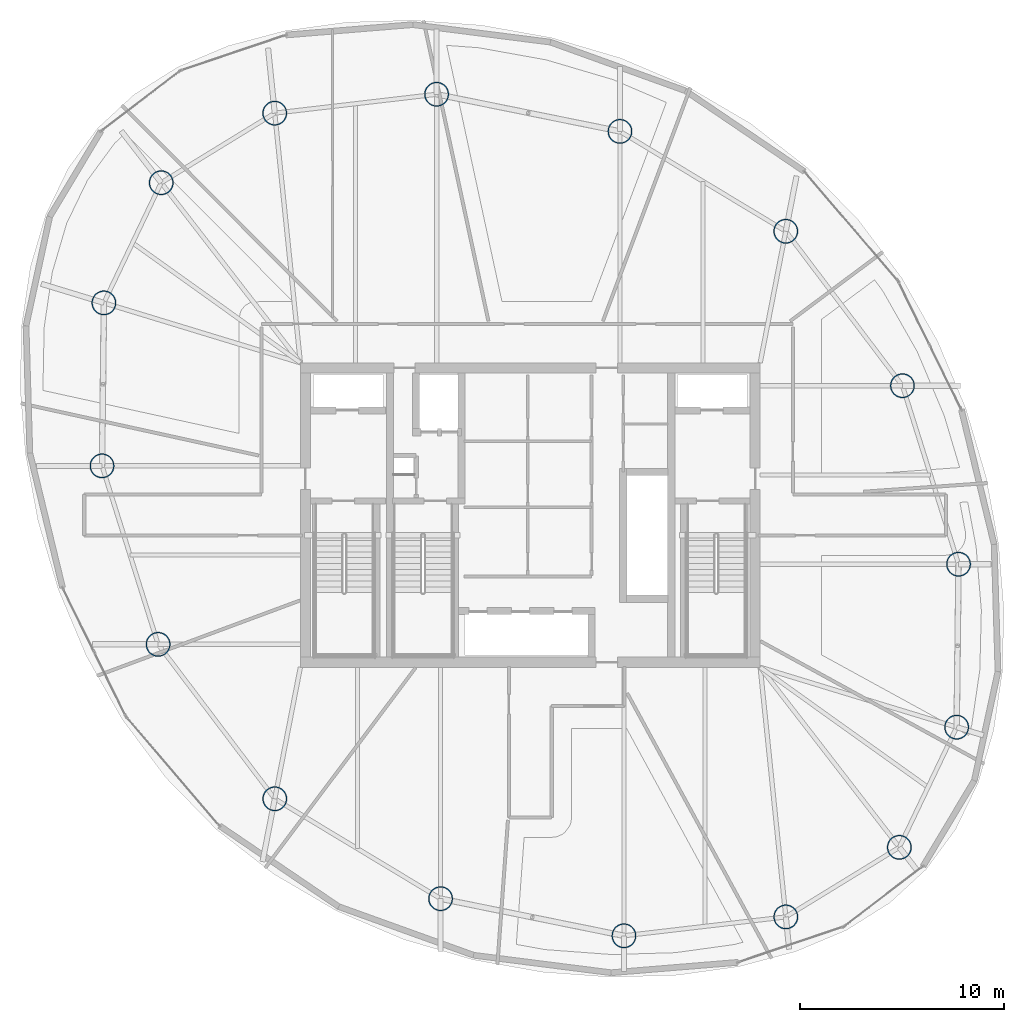
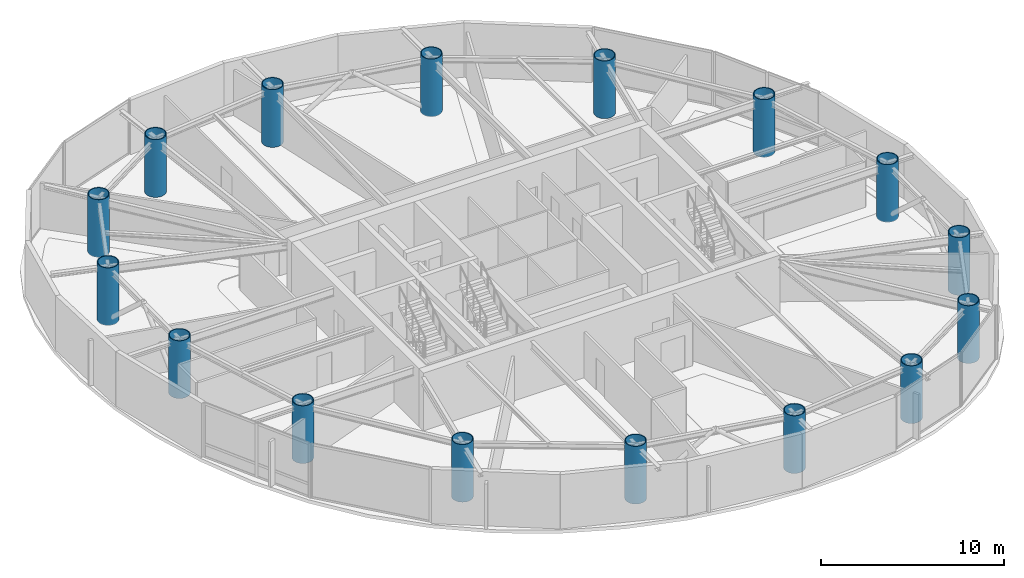
# One storey, part 1 of 19: 16 columns.
"""IFC4 building model written with IfcOpenShell, lengths in metres."""

from ifc_helpers import new_model, si_unit, direction, frame, origin, origin_2d, place, context, subcontext, project, spatial, hollow_circle, extrude, material, material_profile, profile_set, type_object, element, save


model = new_model("IFC4")

# Units and contexts
model_context = context("Model", 3, precision=1e-05, world=origin(), true_north=direction((0.0, 1.0)))
body_context = subcontext(model_context, "Body", "Model", "MODEL_VIEW")
ifc_project = project(units=[si_unit("LENGTHUNIT", "METRE"), si_unit("AREAUNIT", "SQUARE_METRE"), si_unit("VOLUMEUNIT", "CUBIC_METRE"), si_unit("PLANEANGLEUNIT", "RADIAN"), si_unit("MASSUNIT", "GRAM", prefix="KILO")], contexts=[model_context])

# Site, building, storey
site_placement = place(None, origin())
site = spatial("IfcSite", under=ifc_project, at=site_placement, CompositionType="ELEMENT")
building_placement = place(site_placement, origin())
building = spatial("IfcBuilding", under=site, at=building_placement, Name="Bramvorn Convention Spire", CompositionType="ELEMENT")
storey_placement = place(building_placement, frame((0.0, 0.0, 198.14990234375)))
storey = spatial("IfcBuildingStorey", under=building, at=storey_placement, Name="L50", CompositionType="ELEMENT", Elevation=198.14990234375)

# Columns
ifc_material = material(Name="Steel CSA G40.21 Grade 350 (350W)", Category="steel")
ifc_material_profile = material_profile(ifc_material, hollow_circle(Radius=0.60009765625, WallThickness=0.050048828125, at=origin_2d()))
ifc_profile_set = profile_set([ifc_material_profile], Name="Steel CSA G40.21 Grade 350 (350W) - CFT1200X50")
column_type = type_object("IfcColumnType", Name="COL-CFT1200X50", PredefinedType="COLUMN", material=ifc_profile_set)
for number, where, z_axis, x_axis, name in (
    (1, (56.058349609375, 9.739990234375, 0.0), (0.0, 0.0, 1.0), (1.0, 0.0, 0.0), "L50 composite CFT mega-column MC01"),
    (2, (58.863037109375, 15.619384765625, 0.0), (0.0, 0.0, 1.0), (1.0, 0.0, 0.0), "L50 composite CFT mega-column MC02"),
    (3, (58.95458984375, 23.593505859375, 0.0), (0.0, 0.0, 1.0), (1.0, 0.0, 0.0), "L50 composite CFT mega-column MC03"),
    (4, (56.21044921875, 32.327392578125, 0.0), (0.0, 0.0, 1.0), (1.0, 0.0, 0.0), "L50 composite CFT mega-column MC04"),
    (5, (50.501953125, 39.885009765625, 0.0), (0.0, 0.0, 1.0), (1.0, 0.0, 0.0), "L50 composite CFT mega-column MC05"),
    (6, (42.38916015625, 44.772216796875, 0.0), (0.0, 0.0, 1.0), (1.0, 0.0, 0.0), "L50 composite CFT mega-column MC06"),
    (7, (33.416259765625, 46.58837890625, 0.0), (0.0, 0.0, 1.0), (1.0, 0.0, 0.0), "L50 composite CFT mega-column MC07"),
    (8, (25.49560546875, 45.663818359375, 0.0), (0.0, 0.0, 1.0), (1.0, 0.0, 0.0), "L50 composite CFT mega-column MC08"),
    (9, (19.941650390625, 42.260009765625, 0.0), (0.0, 0.0, 1.0), (1.0, 0.0, 0.0), "L50 composite CFT mega-column MC09"),
    (10, (17.136962890625, 36.380615234375, 0.0), (0.0, 0.0, 1.0), (1.0, 0.0, 0.0), "L50 composite CFT mega-column MC10"),
    (11, (17.04541015625, 28.406494140625, 0.0), (0.0, 0.0, 1.0), (1.0, 0.0, 0.0), "L50 composite CFT mega-column MC11"),
    (12, (19.78955078125, 19.672607421875, 0.0), (0.0, 0.0, 1.0), (1.0, 0.0, 0.0), "L50 composite CFT mega-column MC12"),
    (13, (25.498046875, 12.114990234375, 0.0), (0.0, 0.0, 1.0), (1.0, 0.0, 0.0), "L50 composite CFT mega-column MC13"),
    (14, (33.61083984375, 7.227783203125, 0.0), (0.0, 0.0, 1.0), (1.0, 0.0, 0.0), "L50 composite CFT mega-column MC14"),
    (15, (42.583740234375, 5.41162109375, 0.0), (0.0, 0.0, 1.0), (1.0, 0.0, 0.0), "L50 composite CFT mega-column MC15"),
    (16, (50.50439453125, 6.336181640625, 0.0), (0.0, 0.0, 1.0), (1.0, 0.0, 0.0), "L50 composite CFT mega-column MC16"),
):
    element("IfcColumn", number, at=place(storey_placement, frame(where, z_axis=z_axis, x_axis=x_axis)), inside=storey, type_object=column_type, Name=name, PredefinedType="COLUMN", context=body_context, shape_type="SweptSolid", body=[
        extrude(hollow_circle(Radius=0.60009765625, WallThickness=0.050048828125, at=origin_2d()), origin(), (0.0, 0.0, 1.0), 3.85009765625),
    ])

save(model, "model.ifc")
